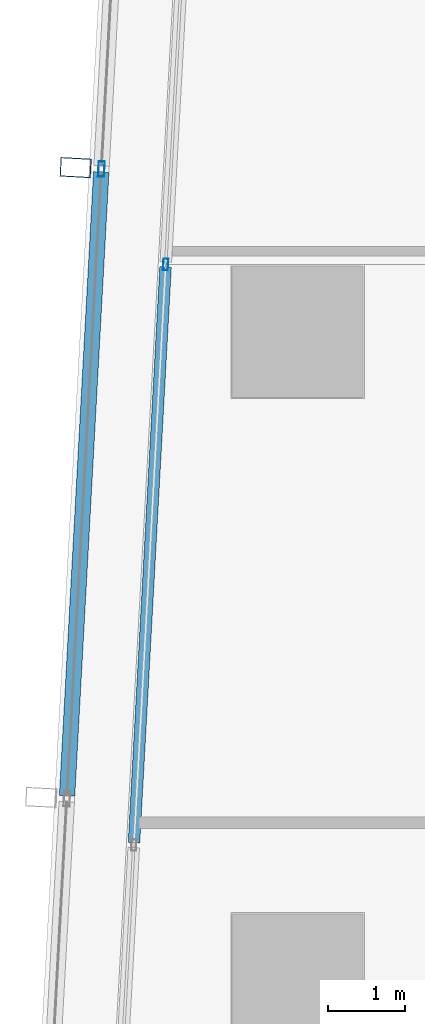
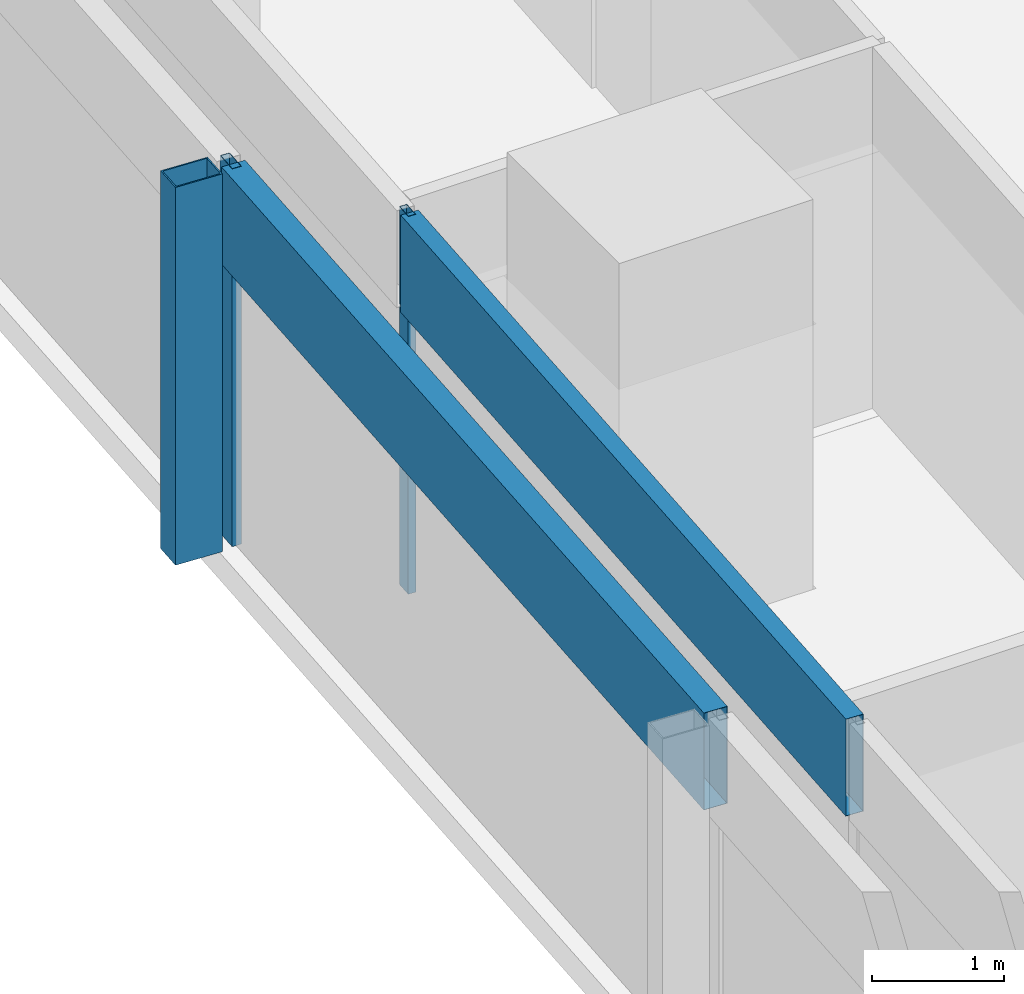
# One storey, part 8 of 40: 5 members, 2 elements without a shape of their own.
"""IFC4 building model written with IfcOpenShell, lengths in metres."""

import ifcopenshell
import ifcopenshell.guid

model = None  # the IFC model being written
_history = None  # IfcOwnerHistory: only IFC2X3 demands one
_inside = {}  # id of a spatial element -> (the spatial element, [elements in it])
_under = {}  # id of a project, library or spatial element -> (it, [spatial elements below it])
_declared = {}  # id of a project -> (the project, [libraries it declares])
_typed = {}  # id of a type object -> (the type object, [elements of that type])
_made_of = {}  # id of a material, layer set ... -> (it, [elements and type objects made of it])


def new_model(schema):
    """Start an empty IFC model of exactly this schema.

    Asked for "IFC4X3", IfcOpenShell would pick the latest addendum, in which some entities
    have other attributes; the version numbers below select the first issue.
    IFC2X3 requires an IfcOwnerHistory on every rooted entity: one is made here for all.
    """
    global model, _history
    if schema == "IFC4X3":
        model = ifcopenshell.file(schema_version=(4, 3, 0, 0))
    else:
        model = ifcopenshell.file(schema=schema)
    _inside.clear()
    _under.clear()
    _declared.clear()
    _typed.clear()
    _made_of.clear()
    _history = None
    if model.schema == "IFC2X3":
        org = make("IfcOrganization", Name="unknown")
        user = make(
            "IfcPersonAndOrganization",
            ThePerson=make("IfcPerson", FamilyName="unknown"),
            TheOrganization=org,
        )
        app = make(
            "IfcApplication",
            ApplicationDeveloper=org,
            Version="unknown",
            ApplicationFullName="unknown",
            ApplicationIdentifier="unknown",
        )
        _history = make(
            "IfcOwnerHistory",
            OwningUser=user,
            OwningApplication=app,
            ChangeAction="ADDED",
            CreationDate=0,
        )
    return model


def make(cls, **values):
    """One entity of the class cls with the attributes given. An attribute that is None is left unset."""
    return model.create_entity(
        cls, **{name: value for name, value in values.items() if value is not None}
    )


def rooted(cls, **values):
    """An entity with a GlobalId (a new one), such as an element, a storey or a relation."""
    return make(cls, GlobalId=ifcopenshell.guid.new(), OwnerHistory=_history, **values)


def si_unit(unit_type, name, prefix=None):
    """IfcSIUnit, for example si_unit("LENGTHUNIT", "METRE", prefix="MILLI")."""
    return make("IfcSIUnit", UnitType=unit_type, Prefix=prefix, Name=name)


def assignment(units):
    """IfcUnitAssignment: the units of a project."""
    return None if units is None else make("IfcUnitAssignment", Units=units)


def point(xyz):
    """IfcCartesianPoint."""
    return None if xyz is None else make("IfcCartesianPoint", Coordinates=xyz)


def direction(xyz):
    """IfcDirection."""
    return None if xyz is None else make("IfcDirection", DirectionRatios=xyz)


def frame(location, z_axis=None, x_axis=None):
    """IfcAxis2Placement3D, a coordinate frame: its origin and axes. An axis left out is left unset."""
    return make(
        "IfcAxis2Placement3D",
        Location=point(location),
        Axis=direction(z_axis),
        RefDirection=direction(x_axis),
    )


def frame_2d(location, x_axis=None):
    """IfcAxis2Placement2D, a coordinate frame in the plane: its origin and x axis."""
    return make(
        "IfcAxis2Placement2D", Location=point(location), RefDirection=direction(x_axis)
    )


def origin():
    """The frame at (0, 0, 0) with its axes left unset."""
    return frame((0.0, 0.0, 0.0))


def origin_2d():
    """The frame at (0, 0) in the plane with its x axis left unset."""
    return frame_2d((0.0, 0.0))


def place(relative_to, where):
    """IfcLocalPlacement: puts the frame where relative to a parent placement (None: the world)."""
    return make(
        "IfcLocalPlacement", PlacementRelTo=relative_to, RelativePlacement=where
    )


def context(
    kind, dimensions, precision=None, world=None, true_north=None, identifier=None
):
    """IfcGeometricRepresentationContext, for example the 3D "Model" context."""
    return make(
        "IfcGeometricRepresentationContext",
        ContextIdentifier=identifier,
        ContextType=kind,
        CoordinateSpaceDimension=dimensions,
        Precision=precision,
        WorldCoordinateSystem=world,
        TrueNorth=true_north,
    )


def subcontext(parent, identifier, kind, view, scale=None):
    """IfcGeometricRepresentationSubContext, for example "Body" below "Model"."""
    return make(
        "IfcGeometricRepresentationSubContext",
        ContextIdentifier=identifier,
        ContextType=kind,
        ParentContext=parent,
        TargetScale=scale,
        TargetView=view,
    )


def project(units=None, contexts=None):
    """IfcProject with its units and contexts."""
    return rooted(
        "IfcProject",
        Name="project",
        RepresentationContexts=contexts,
        UnitsInContext=assignment(units),
    )


def spatial(cls, under=None, at=None, **own):
    """A site, building, storey or space (cls), placed at a placement, below another one or the project."""
    s = rooted(cls, ObjectPlacement=at, **own)
    if under is not None:
        _under.setdefault(under.id(), (under, []))[1].append(s)
    return s


def profile(cls, at=None, kind="AREA", **sizes):
    """A parametric profile (cls). Its sizes go by their IFC names, for example OverallWidth=200.0."""
    return make(cls, ProfileType=kind, Position=at, **sizes)


def hollow_rectangle(**sizes):
    """IfcRectangleHollowProfileDef."""
    return profile("IfcRectangleHollowProfileDef", **sizes)


def extrude(swept, where, along, depth):
    """IfcExtrudedAreaSolid: the profile swept, set in the frame where, extruded along a direction by depth."""
    return make(
        "IfcExtrudedAreaSolid",
        SweptArea=swept,
        Position=where,
        ExtrudedDirection=direction(along),
        Depth=depth,
    )


def shape(context_of_items, identifier, shape_type, items):
    """IfcShapeRepresentation: the items that make up one representation, for example the "Body"."""
    return make(
        "IfcShapeRepresentation",
        ContextOfItems=context_of_items,
        RepresentationIdentifier=identifier,
        RepresentationType=shape_type,
        Items=items,
    )


def material(Name=None, Category=None):
    """IfcMaterial."""
    return make("IfcMaterial", Name=Name, Category=Category)


def material_profile(
    of_material, cross_section, Name=None, Category=None, Priority=None
):
    """IfcMaterialProfile: a cross section and its material."""
    return make(
        "IfcMaterialProfile",
        Name=Name,
        Material=of_material,
        Profile=cross_section,
        Priority=Priority,
        Category=Category,
    )


def profile_set(profiles, Name=None, composite=None):
    """IfcMaterialProfileSet."""
    return make(
        "IfcMaterialProfileSet",
        Name=Name,
        MaterialProfiles=profiles,
        CompositeProfile=composite,
    )


def made_of(thing, what):
    """Note that an element or type object is made of a material, layer set ...; save() writes the relation."""
    if what is not None:
        _made_of.setdefault(what.id(), (what, []))[1].append(thing)
    return thing


def type_object(cls, material=None, **own):
    """A type object (cls), such as IfcWallType, which elements share."""
    return made_of(rooted(cls, **own), material)


def element(
    cls,
    number,
    at=None,
    inside=None,
    cuts=None,
    type_object=None,
    material=None,
    context=None,
    identifier="Body",
    shape_type=None,
    held_by="IfcProductDefinitionShape",
    body=None,
    shapes=None,
    **own,
):
    """One element of the class cls, such as IfcWall. Its Tag is "e" and its number.

    at: its placement. inside: the storey or other place that contains it. cuts: it is an
    opening in that element (IfcRelVoidsElement). A single representation is given by context,
    identifier, shape_type and body (its items); several are given by shapes. held_by: the class
    of the entity that holds the representations. save() writes the other relations.
    """
    e = rooted(cls, Tag="e%d" % number, ObjectPlacement=at, **own)
    if body is not None:
        shapes = [shape(context, identifier, shape_type, body)]
    if shapes is not None:
        e.Representation = make(held_by, Representations=shapes)
    if inside is not None:
        _inside.setdefault(inside.id(), (inside, []))[1].append(e)
    if cuts is not None:
        rooted(
            "IfcRelVoidsElement", RelatingBuildingElement=cuts, RelatedOpeningElement=e
        )
    if type_object is not None:
        _typed.setdefault(type_object.id(), (type_object, []))[1].append(e)
    return made_of(e, material)


def aggregate(whole, parts):
    """IfcRelAggregates: a whole, such as a stair, and the parts it consists of."""
    return rooted("IfcRelAggregates", RelatingObject=whole, RelatedObjects=parts)


def save(model, path):
    """Write the relations noted so far, then the file.

    IfcRelAggregates (storeys below a building ...), IfcRelContainedInSpatialStructure (elements
    in a storey), IfcRelDefinesByType, IfcRelAssociatesMaterial and IfcRelDeclares: one each for
    every whole, place, type object, material and project.
    """
    for whole, parts in _under.values():
        aggregate(whole, parts)
    for where, things in _inside.values():
        rooted(
            "IfcRelContainedInSpatialStructure",
            RelatedElements=things,
            RelatingStructure=where,
        )
    for kind, things in _typed.values():
        rooted("IfcRelDefinesByType", RelatedObjects=things, RelatingType=kind)
    for what, things in _made_of.values():
        rooted("IfcRelAssociatesMaterial", RelatedObjects=things, RelatingMaterial=what)
    for by, libraries in _declared.values():
        rooted("IfcRelDeclares", RelatingContext=by, RelatedDefinitions=libraries)
    model.write(path)


model = new_model("IFC4")

# Units and contexts
model_context = context("Model", 3, precision=1e-05, world=origin(), true_north=direction((0.0, 1.0)))
body_context = subcontext(model_context, "Body", "Model", "MODEL_VIEW")
ifc_project = project(units=[si_unit("LENGTHUNIT", "METRE"), si_unit("AREAUNIT", "SQUARE_METRE"), si_unit("VOLUMEUNIT", "CUBIC_METRE"), si_unit("PLANEANGLEUNIT", "RADIAN"), si_unit("MASSUNIT", "GRAM", prefix="KILO")], contexts=[model_context])

# Site, building, storey
site_placement = place(None, origin())
site = spatial("IfcSite", under=ifc_project, at=site_placement, CompositionType="ELEMENT")
building_placement = place(site_placement, origin())
building = spatial("IfcBuilding", under=site, at=building_placement, Name="Rekha Terrace Tower", CompositionType="ELEMENT")
storey_placement = place(building_placement, frame((0.0, 0.0, 121.550048828125)))
storey = spatial("IfcBuildingStorey", under=building, at=storey_placement, Name="L30", CompositionType="ELEMENT", Elevation=121.550048828125)

# Curtain wall, member
ifc_material_1 = material(Name="Aluminium framing", Category="aluminium")
curtain_wall_type_1 = type_object("IfcCurtainWallType", Name="CW2 double skin outer glazing", PredefinedType="USERDEFINED", material=ifc_material_1)
curtain_wall_1_placement = place(storey_placement, origin())
curtain_wall_1 = element("IfcCurtainWall", 1, at=curtain_wall_1_placement, inside=storey, type_object=curtain_wall_type_1, Name="CW2 double skin outer glazing", ObjectType="DOUBLE SKIN OUTER GLAZING", PredefinedType="USERDEFINED")
ifc_material_2 = material(Name="Steel S355 with fluorocarbon finish", Category="steel")
ifc_material_profile_1 = material_profile(ifc_material_2, hollow_rectangle(XDim=0.25, YDim=0.39990234375, WallThickness=0.012451171875, at=origin_2d()), Name="RHS400x250x12.5")
ifc_profile_set_1 = profile_set([ifc_material_profile_1], Name="Steel S355 with fluorocarbon finish")
member_type_1 = type_object("IfcMemberType", Name="BL1 facade blade RHS 400 x 250", PredefinedType="USERDEFINED", material=ifc_profile_set_1)
member_1_placement = place(storey_placement, frame((5.521728515625, 44.128662109375, 0.0), z_axis=(0.0, 0.0, 1.0), x_axis=(-0.054742798353, -0.998500488747, 0.0)))
member_1 = element("IfcMember", 2, at=member_1_placement, type_object=member_type_1, Name="Facade blade", ObjectType="FACADE BLADE", PredefinedType="USERDEFINED", context=body_context, shape_type="SweptSolid", body=[
    extrude(hollow_rectangle(XDim=0.25, YDim=0.39990234375, WallThickness=0.012451171875, at=origin_2d()), origin(), (0.0, 0.0, 1.0), 3.5),
])

# Curtain wall, members
curtain_wall_type_2 = type_object("IfcCurtainWallType", Name="CW1 double skin inner glazing", PredefinedType="USERDEFINED", material=ifc_material_1)
curtain_wall_2_placement = place(storey_placement, origin())
curtain_wall_2 = element("IfcCurtainWall", 3, at=curtain_wall_2_placement, inside=storey, type_object=curtain_wall_type_2, Name="CW1 double skin inner glazing", ObjectType="DOUBLE SKIN INNER GLAZING", PredefinedType="USERDEFINED")
ifc_material_3 = material(Name="Aluminium mullion section", Category="aluminium")
ifc_material_profile_2 = material_profile(ifc_material_3, hollow_rectangle(XDim=0.06494140625, YDim=0.14990234375, WallThickness=0.00390625, at=origin_2d()), Name="AL RHS 65x150")
ifc_profile_set_2 = profile_set([ifc_material_profile_2], Name="Aluminium mullion section")
member_type_2 = type_object("IfcMemberType", Name="CW1 mullion RHS 65 x 150", PredefinedType="MULLION", material=ifc_profile_set_2)
member_2_placement = place(storey_placement, frame((6.689697265625, 42.87255859375, 0.0), z_axis=(0.0, 0.0, 1.0), x_axis=(0.99850051318, -0.054742352707, 0.0)))
member_2 = element("IfcMember", 4, at=member_2_placement, type_object=member_type_2, Name="CW1 mullion 3", PredefinedType="MULLION", context=body_context, shape_type="SweptSolid", body=[
    extrude(hollow_rectangle(XDim=0.06494140625, YDim=0.14990234375, WallThickness=0.00390625, at=origin_2d()), origin(), (0.0, 0.0, 1.0), 3.5),
])
ifc_material_4 = material(Name="Insulated aluminium spandrel box", Category="aluminium")
ifc_material_profile_3 = material_profile(ifc_material_4, hollow_rectangle(XDim=0.14990234375, YDim=0.89990234375, WallThickness=0.0029296875, at=origin_2d()), Name="AL SPANDREL BOX 150x900")
ifc_profile_set_3 = profile_set([ifc_material_profile_3], Name="Insulated aluminium spandrel box")
member_type_3 = type_object("IfcMemberType", Name="CW1 spandrel transom 150 x 900", PredefinedType="USERDEFINED", material=ifc_profile_set_3)
member_3_placement = place(storey_placement, frame((6.68798828125, 42.840087890625, 3.050048828125), z_axis=(-0.054766415299, -0.998499193668, 0.0), x_axis=(0.998499193668, -0.054766415299, 0.0)))
member_3 = element("IfcMember", 5, at=member_3_placement, type_object=member_type_3, Name="CW1 spandrel transom 3", ObjectType="TRANSOM", PredefinedType="USERDEFINED", context=body_context, shape_type="SweptSolid", body=[
    extrude(hollow_rectangle(XDim=0.14990234375, YDim=0.89990234375, WallThickness=0.0029296875, at=origin_2d()), origin(), (0.0, 0.0, 1.0), 7.475830078125),
])
aggregate(curtain_wall_2, [member_2, member_3])

# Member
ifc_material_profile_4 = material_profile(ifc_material_3, hollow_rectangle(XDim=0.080078125, YDim=0.199951171875, WallThickness=0.00390625, at=origin_2d()), Name="AL RHS 80x200")
ifc_profile_set_4 = profile_set([ifc_material_profile_4], Name="Aluminium mullion section")
member_type_4 = type_object("IfcMemberType", Name="CW2 mullion RHS 80 x 200", PredefinedType="MULLION", material=ifc_profile_set_4)
member_4_placement = place(storey_placement, frame((5.856201171875, 44.1103515625, 0.0), z_axis=(0.0, 0.0, 1.0), x_axis=(0.99850051318, -0.054742352707, 0.0)))
member_4 = element("IfcMember", 6, at=member_4_placement, type_object=member_type_4, Name="CW2 mullion 3", PredefinedType="MULLION", context=body_context, shape_type="SweptSolid", body=[
    extrude(hollow_rectangle(XDim=0.080078125, YDim=0.199951171875, WallThickness=0.00390625, at=origin_2d()), origin(), (0.0, 0.0, 1.0), 3.5),
])

ifc_material_profile_5 = material_profile(ifc_material_4, hollow_rectangle(XDim=0.199951171875, YDim=0.89990234375, WallThickness=0.0029296875, at=origin_2d()), Name="AL SPANDREL BOX 200x900")
ifc_profile_set_5 = profile_set([ifc_material_profile_5], Name="Insulated aluminium spandrel box")
member_type_5 = type_object("IfcMemberType", Name="CW2 spandrel transom 200 x 900", PredefinedType="USERDEFINED", material=ifc_profile_set_5)
member_5_placement = place(storey_placement, frame((5.85400390625, 44.070556640625, 3.050048828125), z_axis=(-0.054735499102, -0.998500888902, 0.0), x_axis=(0.998500888902, -0.054735499102, 0.0)))
member_5 = element("IfcMember", 7, at=member_5_placement, type_object=member_type_5, Name="CW2 spandrel transom 3", ObjectType="TRANSOM", PredefinedType="USERDEFINED", context=body_context, shape_type="SweptSolid", body=[
    extrude(hollow_rectangle(XDim=0.199951171875, YDim=0.89990234375, WallThickness=0.0029296875, at=origin_2d()), origin(), (0.0, 0.0, 1.0), 8.10009765625),
])

aggregate(curtain_wall_1, [member_4, member_5, member_1])

save(model, "model.ifc")
